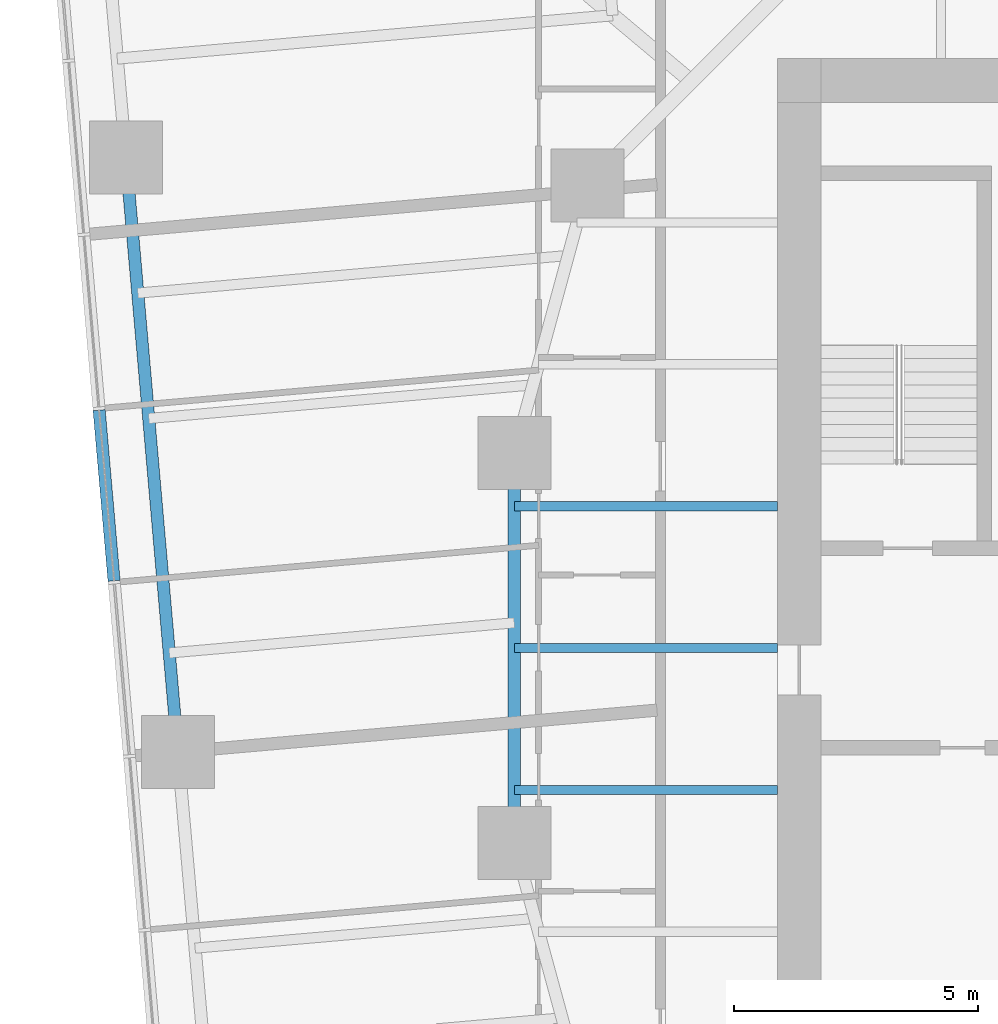
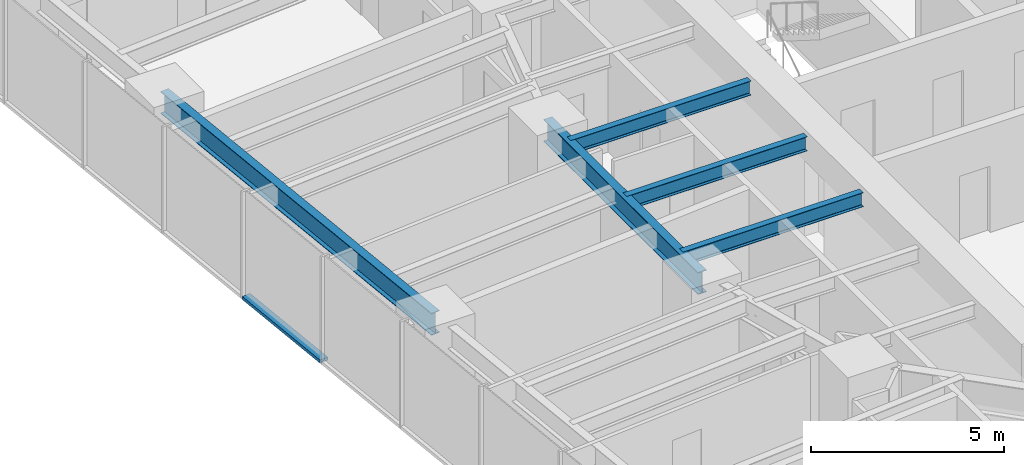
# One storey, part 3 of 14: 5 beams, 1 member, 1 element without a shape of its own.
"""IFC4 building model written with IfcOpenShell, lengths in metres."""

from ifc_helpers import new_model, si_unit, direction, frame, origin, origin_2d, place, context, subcontext, project, spatial, rectangle, i_section, extrude, material, material_profile, profile_set, type_object, element, aggregate, save


model = new_model("IFC4")

# Units and contexts
model_context = context("Model", 3, precision=1e-05, world=origin(), true_north=direction((0.0, 1.0)))
body_context = subcontext(model_context, "Body", "Model", "MODEL_VIEW")
ifc_project = project(units=[si_unit("LENGTHUNIT", "METRE"), si_unit("AREAUNIT", "SQUARE_METRE"), si_unit("VOLUMEUNIT", "CUBIC_METRE"), si_unit("PLANEANGLEUNIT", "RADIAN"), si_unit("MASSUNIT", "GRAM", prefix="KILO")], contexts=[model_context])

# Site, building, storey
site_placement = place(None, origin())
site = spatial("IfcSite", under=ifc_project, at=site_placement, CompositionType="ELEMENT")
building_placement = place(site_placement, origin())
building = spatial("IfcBuilding", under=site, at=building_placement, Name="Torsade Residences", CompositionType="ELEMENT")
storey_placement = place(building_placement, frame((0.0, 0.0, 54.0)))
storey = spatial("IfcBuildingStorey", under=building, at=storey_placement, Name="L14", CompositionType="ELEMENT", Elevation=54.0)

# Curtain wall, member
ifc_material_1 = material(Name="Aluminium and glass", Category="aluminium")
curtain_wall_type = type_object("IfcCurtainWallType", Name="FRITTED GLASS CURTAIN WALL LOW ZONE", PredefinedType="NOTDEFINED", material=ifc_material_1)
curtain_wall_placement = place(storey_placement, origin())
curtain_wall = element("IfcCurtainWall", 1, at=curtain_wall_placement, inside=storey, type_object=curtain_wall_type, Name="Curtain wall L14 face 10", PredefinedType="NOTDEFINED")
ifc_material_2 = material(Name="Aluminium transom", Category="aluminium")
ifc_material_profile_1 = material_profile(ifc_material_2, rectangle(XDim=0.25, YDim=0.10009765625, at=origin_2d()), Name="CURTAIN WALL TRANSOM 250x100")
ifc_profile_set_1 = profile_set([ifc_material_profile_1], Name="Aluminium transom")
member_type = type_object("IfcMemberType", Name="CURTAIN WALL TRANSOM 250x100", PredefinedType="USERDEFINED", material=ifc_profile_set_1)
member_placement = place(storey_placement, frame((13.975341796875, 34.884521484375, 0.050048828125), z_axis=(0.087156620531, -0.996194621295, 0.0), x_axis=(0.996194621295, 0.087156620531, 0.0)))
member = element("IfcMember", 2, at=member_placement, type_object=member_type, Name="Transom 5.1", ObjectType="TRANSOM", PredefinedType="USERDEFINED", context=body_context, shape_type="SweptSolid", body=[
    extrude(rectangle(XDim=0.25, YDim=0.10009765625, at=origin_2d()), origin(), (0.0, 0.0, 1.0), 3.518310546875),
])
aggregate(curtain_wall, [member])

# Beams
ifc_material_3 = material(Name="Steel grade 300", Category="steel")
ifc_material_profile_2 = material_profile(ifc_material_3, i_section(OverallWidth=0.25, OverallDepth=0.699951171875, WebThickness=0.010009765625, FlangeThickness=0.02001953125, at=origin_2d()), Name="700WB130")
ifc_profile_set_2 = profile_set([ifc_material_profile_2], Name="Steel grade 300")
beam_type_1 = type_object("IfcBeamType", Name="EDGE BEAM 700WB130", PredefinedType="SPANDREL", material=ifc_profile_set_2)
beam_1_placement = place(storey_placement, frame((14.525634765625, 40.068115234375, 2.89990234375), z_axis=(0.08715335259, -0.996194907201, 0.0), x_axis=(0.996194907201, 0.08715335259, 0.0)))
element("IfcBeam", 3, at=beam_1_placement, inside=storey, type_object=beam_type_1, Name="Edge beam 14 L15", PredefinedType="SPANDREL", context=body_context, shape_type="SweptSolid", body=[
    extrude(i_section(OverallWidth=0.25, OverallDepth=0.699951171875, WebThickness=0.010009765625, FlangeThickness=0.02001953125, at=origin_2d()), origin(), (0.0, 0.0, 1.0), 12.25),
])
ifc_material_4 = material(Name="Steel grade 300", Category="steel")
ifc_material_profile_3 = material_profile(ifc_material_4, i_section(OverallWidth=0.18994140625, OverallDepth=0.4541015625, WebThickness=0.008544921875, FlangeThickness=0.0126953125, FilletRadius=0.011474609375, at=origin_2d()), Name="460UB67.1")
ifc_profile_set_3 = profile_set([ifc_material_profile_3], Name="Steel grade 300")
beam_type_2 = type_object("IfcBeamType", Name="INNER FLOOR BEAM 460UB67.1", PredefinedType="JOIST", material=ifc_profile_set_3)
for number, where, z_axis, x_axis, name in (
    (4, (27.89990234375, 32.91259765625, 3.02294921875), (-1.0, 0.0, 0.0), (0.0, -1.0, 0.0), "Inner floor beam IW03 L15"),
    (5, (27.89990234375, 30.0, 3.02294921875), (-1.0, 0.0, 0.0), (0.0, -1.0, 0.0), "Inner floor beam IW04 L15"),
    (6, (27.89990234375, 27.08740234375, 3.02294921875), (-1.0, 0.0, 0.0), (0.0, -1.0, 0.0), "Inner floor beam IW05 L15"),
):
    element("IfcBeam", number, at=place(storey_placement, frame(where, z_axis=z_axis, x_axis=x_axis)), inside=storey, type_object=beam_type_2, Name=name, PredefinedType="JOIST", context=body_context, shape_type="SweptSolid", body=[
        extrude(i_section(OverallWidth=0.18994140625, OverallDepth=0.4541015625, WebThickness=0.008544921875, FlangeThickness=0.0126953125, FilletRadius=0.011474609375, at=origin_2d()), origin(), (0.0, 0.0, 1.0), 5.39990234375),
    ])
ifc_material_5 = material(Name="Steel grade 300", Category="steel")
ifc_material_profile_4 = material_profile(ifc_material_5, i_section(OverallWidth=0.25, OverallDepth=0.699951171875, WebThickness=0.010009765625, FlangeThickness=0.02001953125, at=origin_2d()), Name="700WB130")
ifc_profile_set_4 = profile_set([ifc_material_profile_4], Name="Steel grade 300")
beam_type_3 = type_object("IfcBeamType", Name="RING GIRDER 700WB130", PredefinedType="BEAM", material=ifc_profile_set_4)
beam_2_placement = place(storey_placement, frame((22.5, 34.0, 2.89990234375), z_axis=(0.0, -1.0, 0.0), x_axis=(1.0, 0.0, 0.0)))
element("IfcBeam", 7, at=beam_2_placement, inside=storey, type_object=beam_type_3, Name="Ring girder IR09 L15", PredefinedType="BEAM", context=body_context, shape_type="SweptSolid", body=[
    extrude(i_section(OverallWidth=0.25, OverallDepth=0.699951171875, WebThickness=0.010009765625, FlangeThickness=0.02001953125, at=origin_2d()), origin(), (0.0, 0.0, 1.0), 8.0),
])

save(model, "model.ifc")
